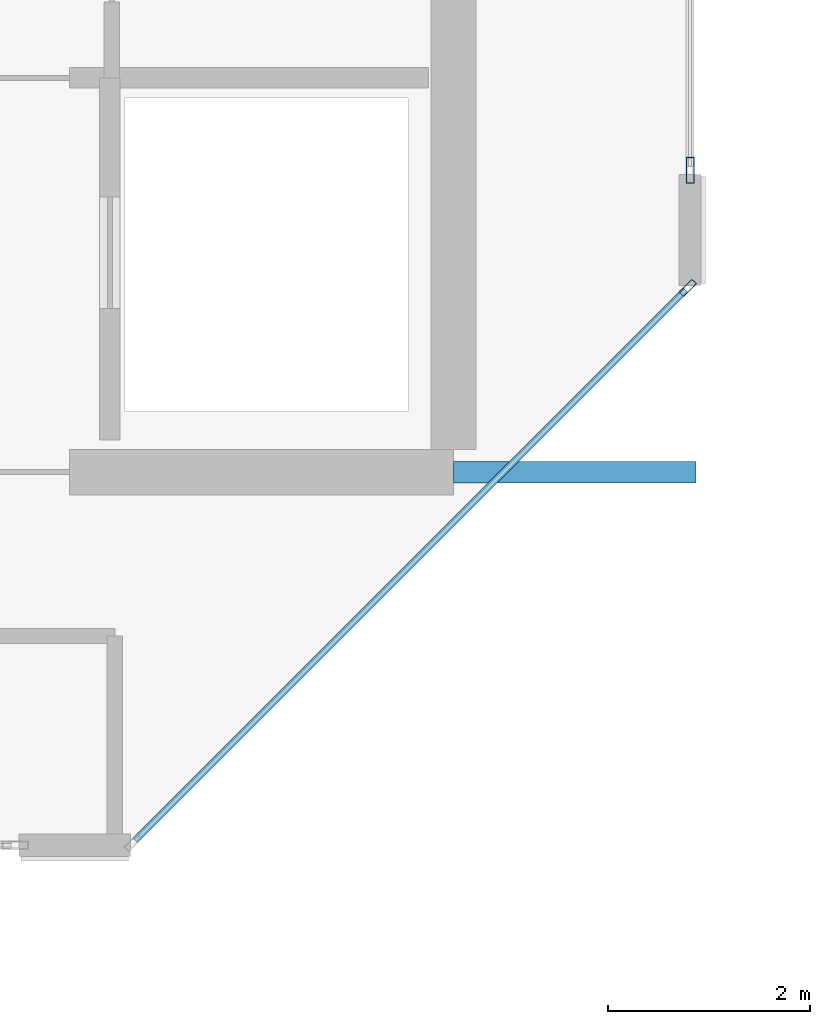
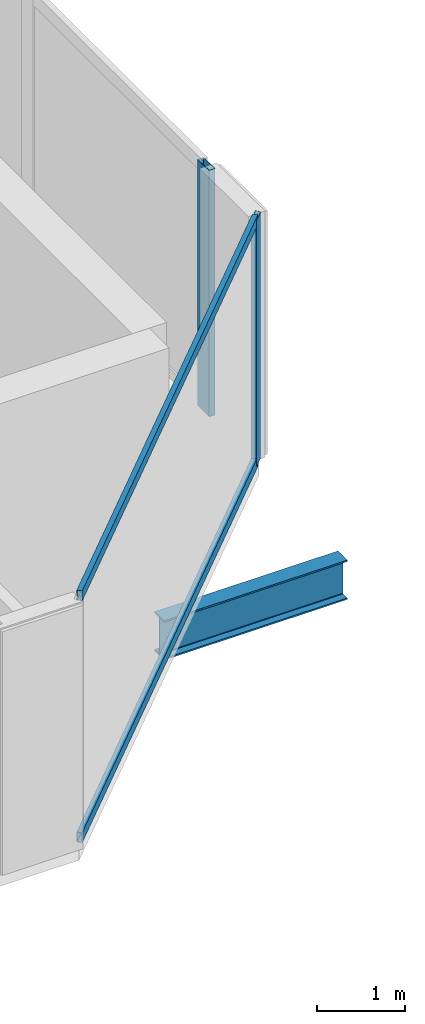
# One storey, part 3 of 28: 4 members, 1 beam, 2 elements without a shape of their own.
"""IFC4 building model written with IfcOpenShell, lengths in metres."""

from ifc_helpers import new_model, si_unit, direction, frame, origin, origin_2d, place, context, subcontext, project, spatial, hollow_rectangle, i_section, extrude, material, layer, layer_set, material_profile, profile_set, type_object, element, aggregate, save


model = new_model("IFC4")

# Units and contexts
model_context = context("Model", 3, precision=1e-05, world=origin(), true_north=direction((0.0, 1.0)))
body_context = subcontext(model_context, "Body", "Model", "MODEL_VIEW")
ifc_project = project(units=[si_unit("LENGTHUNIT", "METRE"), si_unit("AREAUNIT", "SQUARE_METRE"), si_unit("VOLUMEUNIT", "CUBIC_METRE"), si_unit("PLANEANGLEUNIT", "RADIAN"), si_unit("MASSUNIT", "GRAM", prefix="KILO")], contexts=[model_context])

# Site, building, storey
site_placement = place(None, origin())
site = spatial("IfcSite", under=ifc_project, at=site_placement, CompositionType="ELEMENT")
building_placement = place(site_placement, origin())
building = spatial("IfcBuilding", under=site, at=building_placement, Name="Tanjung Sevakor Pilgrim Tower", CompositionType="ELEMENT")
storey_placement = place(building_placement, frame((0.0, 0.0, 246.179931640625)))
storey = spatial("IfcBuildingStorey", under=building, at=storey_placement, Name="L69", CompositionType="ELEMENT", Elevation=246.179931640625)

# Beam
ifc_material_1 = material(Name="Steel S355J2", Category="steel")
ifc_material_profile_1 = material_profile(ifc_material_1, i_section(OverallWidth=0.2119140625, OverallDepth=0.54443359375, WebThickness=0.0126953125, FlangeThickness=0.021240234375, FilletRadius=0.0126953125, at=origin_2d()))
ifc_profile_set_1 = profile_set([ifc_material_profile_1], Name="Steel S355J2")
beam_type = type_object("IfcBeamType", Name="BM-B-G5-UB_533x210x122", PredefinedType="BEAM", material=ifc_profile_set_1)
beam_placement = place(storey_placement, frame((36.0, 24.60009765625, -0.4921875), z_axis=(1.0, 0.0, 0.0), x_axis=(0.0, 1.0, 0.0)))
element("IfcBeam", 1, at=beam_placement, inside=storey, type_object=beam_type, Name="L69 West Peak Cantilever Girder 1", PredefinedType="BEAM", context=body_context, shape_type="SweptSolid", body=[
    extrude(i_section(OverallWidth=0.2119140625, OverallDepth=0.54443359375, WebThickness=0.0126953125, FlangeThickness=0.021240234375, FilletRadius=0.0126953125, at=origin_2d()), origin(), (0.0, 0.0, 1.0), 2.39990234375),
])

# Curtain wall, member
ifc_material_2 = material(Name="Aluminium 6063-T6 and Low-E Glass", Category="aluminium")
ifc_layer_1 = layer(ifc_material_2, 0.179931640625)
ifc_layer_set_1 = layer_set([ifc_layer_1], Name="CW-SYS-CHAM")
curtain_wall_type_1 = type_object("IfcCurtainWallType", Name="CW-SYS-CHAM", PredefinedType="NOTDEFINED", material=ifc_layer_set_1)
curtain_wall_1_placement = place(storey_placement, origin())
curtain_wall_1 = element("IfcCurtainWall", 2, at=curtain_wall_1_placement, inside=storey, type_object=curtain_wall_type_1, Name="L69 Curtain Wall CW-CHM-L69-WEST-1", PredefinedType="NOTDEFINED")
ifc_material_3 = material(Name="Aluminium 6063-T6", Category="aluminium")
ifc_material_profile_2 = material_profile(ifc_material_3, hollow_rectangle(XDim=0.06494140625, YDim=0.179931640625, WallThickness=0.00390625, at=origin_2d()))
ifc_profile_set_2 = profile_set([ifc_material_profile_2], Name="Aluminium 6063-T6")
member_type_1 = type_object("IfcMemberType", Name="TYPE-CWM-1", PredefinedType="MULLION", material=ifc_profile_set_2)
member_1_placement = place(storey_placement, frame((38.317138671875, 26.422607421875, 0.0), z_axis=(0.0, 0.0, 1.0), x_axis=(-0.707106781187, 0.707106781187, 0.0)))
member_1 = element("IfcMember", 3, at=member_1_placement, type_object=member_type_1, Name="CW-CHM mullion 2", PredefinedType="MULLION", context=body_context, shape_type="SweptSolid", body=[
    extrude(hollow_rectangle(XDim=0.06494140625, YDim=0.179931640625, WallThickness=0.00390625, at=origin_2d()), origin(), (0.0, 0.0, 1.0), 3.41015625),
])

ifc_material_4 = material(Name="Aluminium 6063-T6 and Low-E Glass", Category="aluminium")
ifc_layer_2 = layer(ifc_material_4, 0.199951171875)
ifc_layer_set_2 = layer_set([ifc_layer_2], Name="CW-SYS-CRNW")
curtain_wall_type_2 = type_object("IfcCurtainWallType", Name="CW-SYS-CRNW", PredefinedType="NOTDEFINED", material=ifc_layer_set_2)
curtain_wall_2_placement = place(storey_placement, origin())
curtain_wall_2 = element("IfcCurtainWall", 4, at=curtain_wall_2_placement, inside=storey, type_object=curtain_wall_type_2, Name="L69 Curtain Wall CW-CRN-L69-WEST-2-1", PredefinedType="NOTDEFINED")
ifc_material_5 = material(Name="Aluminium 6063-T6", Category="aluminium")
ifc_material_profile_3 = material_profile(ifc_material_5, hollow_rectangle(XDim=0.080078125, YDim=0.260009765625, WallThickness=0.0048828125, at=origin_2d()))
ifc_profile_set_3 = profile_set([ifc_material_profile_3], Name="Aluminium 6063-T6")
member_type_2 = type_object("IfcMemberType", Name="TYPE-CWM-3", PredefinedType="MULLION", material=ifc_profile_set_3)
member_2_placement = place(storey_placement, frame((38.340087890625, 27.585693359375, 0.0), z_axis=(0.0, 0.0, 1.0), x_axis=(-1.0, 0.0, 0.0)))
member_2 = element("IfcMember", 5, at=member_2_placement, type_object=member_type_2, Name="CW-CRW mullion 1", PredefinedType="MULLION", context=body_context, shape_type="SweptSolid", body=[
    extrude(hollow_rectangle(XDim=0.080078125, YDim=0.260009765625, WallThickness=0.0048828125, at=origin_2d()), origin(), (0.0, 0.0, 1.0), 3.41015625),
])
aggregate(curtain_wall_2, [member_2])

# Member
ifc_material_6 = material(Name="Aluminium 6063-T6", Category="aluminium")
ifc_material_profile_4 = material_profile(ifc_material_6, hollow_rectangle(XDim=0.06494140625, YDim=0.139892578125, WallThickness=0.00390625, at=origin_2d()))
ifc_profile_set_4 = profile_set([ifc_material_profile_4], Name="Aluminium 6063-T6")
member_type_3 = type_object("IfcMemberType", Name="TYPE-CWT-1", PredefinedType="USERDEFINED", material=ifc_profile_set_4)
member_3_placement = place(storey_placement, frame((32.850341796875, 20.9560546875, 0.032470703125), z_axis=(0.707106781187, 0.707106781187, 0.0), x_axis=(-0.707106781187, 0.707106781187, 0.0)))
member_3 = element("IfcMember", 6, at=member_3_placement, type_object=member_type_3, Name="CW-CHM transom 1.1", ObjectType="TRANSOM", PredefinedType="USERDEFINED", context=body_context, shape_type="SweptSolid", body=[
    extrude(hollow_rectangle(XDim=0.06494140625, YDim=0.139892578125, WallThickness=0.00390625, at=origin_2d()), origin(), (0.0, 0.0, 1.0), 7.698486328125),
])

member_4_placement = place(storey_placement, frame((32.850341796875, 20.9560546875, 3.377685546875), z_axis=(0.707106781187, 0.707106781187, 0.0), x_axis=(-0.707106781187, 0.707106781187, 0.0)))
member_4 = element("IfcMember", 7, at=member_4_placement, type_object=member_type_3, Name="CW-CHM transom 1.2", ObjectType="TRANSOM", PredefinedType="USERDEFINED", context=body_context, shape_type="SweptSolid", body=[
    extrude(hollow_rectangle(XDim=0.06494140625, YDim=0.139892578125, WallThickness=0.00390625, at=origin_2d()), origin(), (0.0, 0.0, 1.0), 7.698486328125),
])

aggregate(curtain_wall_1, [member_1, member_3, member_4])

save(model, "model.ifc")
